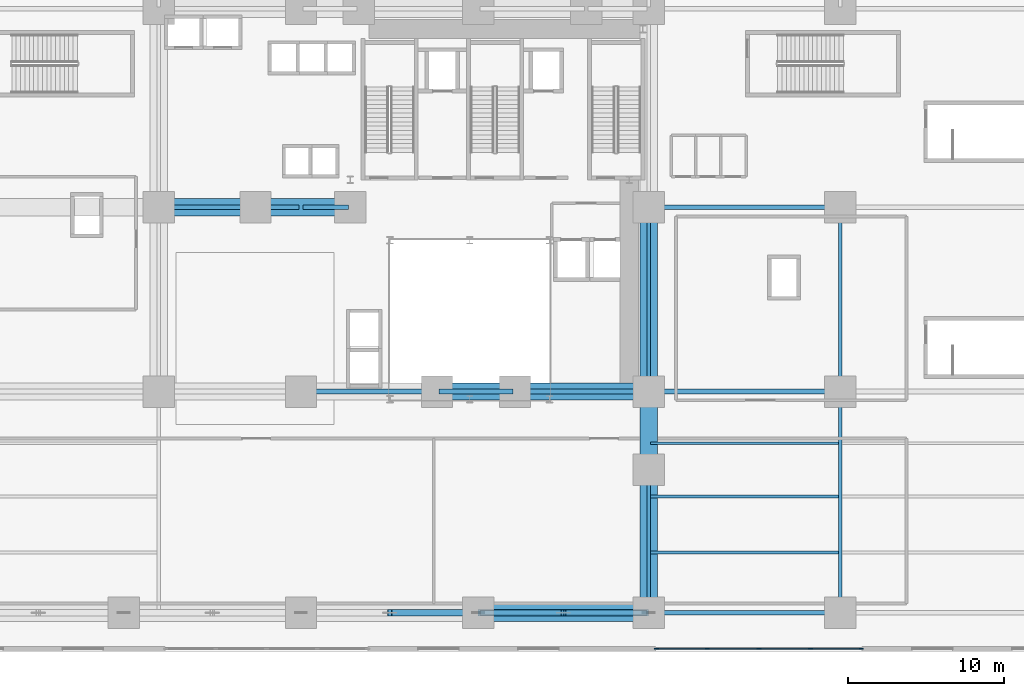
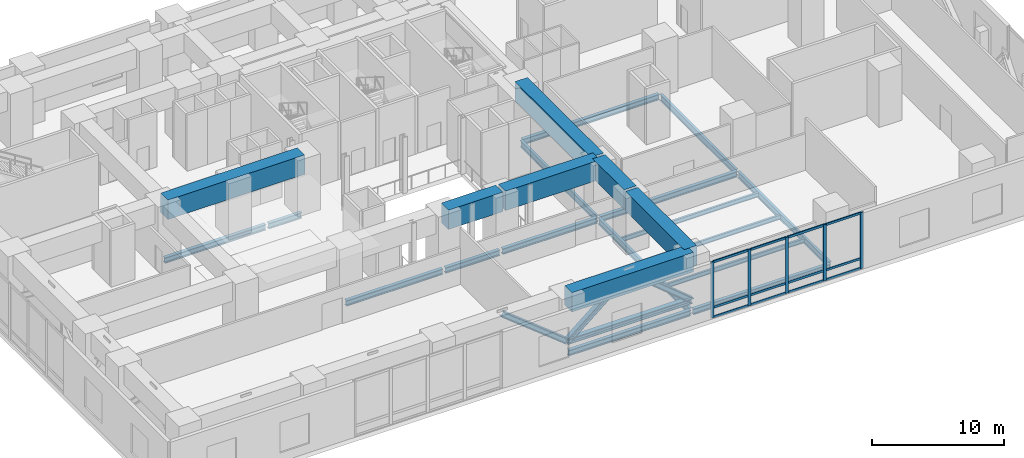
# One storey, part 4 of 17: 23 beams, 21 members, 1 element without a shape of its own.
"""IFC4 building model written with IfcOpenShell, lengths in metres."""

from ifc_helpers import new_model, si_unit, direction, frame, origin, origin_2d, place, context, subcontext, project, spatial, rectangle, i_section, extrude, source, transform, mapped, material, material_profile, profile_set, type_object, element, aggregate, save


model = new_model("IFC4")

# Units and contexts
model_context = context("Model", 3, precision=1e-05, world=origin(), true_north=direction((0.0, 1.0)))
body_context = subcontext(model_context, "Body", "Model", "MODEL_VIEW")
ifc_project = project(units=[si_unit("LENGTHUNIT", "METRE"), si_unit("AREAUNIT", "SQUARE_METRE"), si_unit("VOLUMEUNIT", "CUBIC_METRE"), si_unit("PLANEANGLEUNIT", "RADIAN"), si_unit("MASSUNIT", "GRAM", prefix="KILO")], contexts=[model_context])

# Site, building, storey
site_placement = place(None, origin())
site = spatial("IfcSite", under=ifc_project, at=site_placement, CompositionType="ELEMENT")
building_placement = place(site_placement, origin())
building = spatial("IfcBuilding", under=site, at=building_placement, Name="Vardaveli Station Tower", CompositionType="ELEMENT")
storey_placement = place(building_placement, frame((0.0, 0.0, 11.39990234375)))
storey = spatial("IfcBuildingStorey", under=building, at=storey_placement, Name="L03", CompositionType="ELEMENT", Elevation=11.39990234375)

# Beams
ifc_material_1 = material(Name="Concrete C60/75", Category="concrete")
ifc_material_profile_1 = material_profile(ifc_material_1, rectangle(XDim=1.10009765625, YDim=1.800048828125, at=origin_2d()), Name="TG 1100x1800")
ifc_profile_set_1 = profile_set([ifc_material_profile_1], Name="Concrete C60/75")
beam_type_1 = type_object("IfcBeamType", Name="BM-TG-1800", PredefinedType="BEAM", material=ifc_profile_set_1)
shared_shape_1 = source(origin(), body_context, "Body", "SweptSolid", [
    extrude(rectangle(XDim=1.10009765625, YDim=1.800048828125, at=origin_2d()), origin(), (0.0, 0.0, 1.0), 8.909912109375),
])
beam_1_placement = place(storey_placement, frame((47.75, 3.070068359375, 4.300048828125), z_axis=(0.0, 1.0, 0.0), x_axis=(-1.0, 0.0, 0.0)))
element("IfcBeam", 1, at=beam_1_placement, inside=storey, type_object=beam_type_1, Name="TG-L03-NS-E-1", PredefinedType="BEAM", context=body_context, shape_type="MappedRepresentation", body=[
    mapped(shared_shape_1, transform((0.0, 0.0, 0.0), scale=1.0)),
])
shared_shape_2 = source(origin(), body_context, "Body", "SweptSolid", [
    extrude(rectangle(XDim=1.10009765625, YDim=1.800048828125, at=origin_2d()), origin(), (0.0, 0.0, 1.0), 4.760009765625),
])
for number, where, z_axis, x_axis, name in (
    (2, (47.75, 12.219970703125, 4.300048828125), (0.0, 1.0, 0.0), (-1.0, 0.0, 0.0), "TG-L03-NS-E-2"),
    (3, (34.320068359375, 17.10009765625, 4.300048828125), (1.0, 0.0, 0.0), (0.0, 1.0, 0.0), "TG-L03-EW-P-4"),
):
    element("IfcBeam", number, at=place(storey_placement, frame(where, z_axis=z_axis, x_axis=x_axis)), inside=storey, type_object=beam_type_1, Name=name, PredefinedType="BEAM", context=body_context, shape_type="MappedRepresentation", body=[
        mapped(shared_shape_2, transform((0.0, 0.0, 0.0), scale=1.0)),
    ])
shared_shape_3 = source(origin(), body_context, "Body", "SweptSolid", [
    extrude(rectangle(XDim=1.10009765625, YDim=1.800048828125, at=origin_2d()), origin(), (0.0, 0.0, 1.0), 11.56005859375),
])
beam_2_placement = place(storey_placement, frame((47.75, 17.219970703125, 4.300048828125), z_axis=(0.0, 1.0, 0.0), x_axis=(-1.0, 0.0, 0.0)))
element("IfcBeam", 4, at=beam_2_placement, inside=storey, type_object=beam_type_1, Name="TG-L03-NS-E-3", PredefinedType="BEAM", context=body_context, shape_type="MappedRepresentation", body=[
    mapped(shared_shape_3, transform((0.0, 0.0, 0.0), scale=1.0)),
])
shared_shape_4 = source(origin(), body_context, "Body", "SweptSolid", [
    extrude(rectangle(XDim=1.10009765625, YDim=1.800048828125, at=origin_2d()), origin(), (0.0, 0.0, 1.0), 10.669921875),
])
beam_3_placement = place(storey_placement, frame((36.9599609375, 2.949951171875, 4.300048828125), z_axis=(1.0, 0.0, 0.0), x_axis=(0.0, 1.0, 0.0)))
element("IfcBeam", 5, at=beam_3_placement, inside=storey, type_object=beam_type_1, Name="TG-L03-EW-S-4", PredefinedType="BEAM", context=body_context, shape_type="MappedRepresentation", body=[
    mapped(shared_shape_4, transform((0.0, 0.0, 0.0), scale=1.0)),
])
shared_shape_5 = source(origin(), body_context, "Body", "SweptSolid", [
    extrude(rectangle(XDim=1.10009765625, YDim=1.800048828125, at=origin_2d()), origin(), (0.0, 0.0, 1.0), 8.309814453125),
])
beam_4_placement = place(storey_placement, frame((39.320068359375, 17.10009765625, 4.300048828125), z_axis=(1.0, 0.0, 0.0), x_axis=(0.0, 1.0, 0.0)))
element("IfcBeam", 6, at=beam_4_placement, inside=storey, type_object=beam_type_1, Name="TG-L03-EW-P-5", PredefinedType="BEAM", context=body_context, shape_type="MappedRepresentation", body=[
    mapped(shared_shape_5, transform((0.0, 0.0, 0.0), scale=1.0)),
])
shared_shape_6 = source(origin(), body_context, "Body", "SweptSolid", [
    extrude(rectangle(XDim=1.10009765625, YDim=1.800048828125, at=origin_2d()), origin(), (0.0, 0.0, 1.0), 12.010009765625),
])
beam_5_placement = place(storey_placement, frame((16.52001953125, 28.89990234375, 4.300048828125), z_axis=(1.0, 0.0, 0.0), x_axis=(0.0, 1.0, 0.0)))
element("IfcBeam", 7, at=beam_5_placement, inside=storey, type_object=beam_type_1, Name="TG-L03-EW-M-2", PredefinedType="BEAM", context=body_context, shape_type="MappedRepresentation", body=[
    mapped(shared_shape_6, transform((0.0, 0.0, 0.0), scale=1.0)),
])

# Members
ifc_material_2 = material(Name="Structural steel S460M", Category="steel")
ifc_material_profile_2 = material_profile(ifc_material_2, i_section(OverallWidth=0.427978515625, OverallDepth=0.48095703125, WebThickness=0.03955078125, FlangeThickness=0.0634765625, FilletRadius=0.014892578125, at=origin_2d()), Name="HD 400x677")
ifc_profile_set_2 = profile_set([ifc_material_profile_2], Name="Structural steel S460M")
member_type_1 = type_object("IfcMemberType", Name="MEM-CH-HD677", PredefinedType="CHORD", material=ifc_profile_set_2)
shared_shape_7 = source(origin(), body_context, "Body", "SweptSolid", [
    extrude(i_section(OverallWidth=0.427978515625, OverallDepth=0.48095703125, WebThickness=0.03955078125, FlangeThickness=0.0634765625, FilletRadius=0.014892578125, at=origin_2d()), origin(), (0.0, 0.0, 1.0), 10.909912109375),
])
member_1_placement = place(storey_placement, frame((36.840087890625, 2.949951171875, 0.4501953125), z_axis=(1.0, 0.0, 0.0), x_axis=(0.0, 1.0, 0.0)))
element("IfcMember", 8, at=member_1_placement, inside=storey, type_object=member_type_1, Name="TTR-CH-12", PredefinedType="CHORD", context=body_context, shape_type="MappedRepresentation", body=[
    mapped(shared_shape_7, transform((0.0, 0.0, 0.0), scale=1.0)),
])
ifc_material_profile_3 = material_profile(ifc_material_2, i_section(OverallWidth=0.424072265625, OverallDepth=0.465087890625, WebThickness=0.034912109375, FlangeThickness=0.055908203125, FilletRadius=0.014892578125, at=origin_2d()), Name="HD 400x592")
ifc_profile_set_3 = profile_set([ifc_material_profile_3], Name="Structural steel S460M")
member_type_2 = type_object("IfcMemberType", Name="MEM-BR-HD592", PredefinedType="BRACE", material=ifc_profile_set_3)
shared_shape_8 = source(origin(), body_context, "Body", "SweptSolid", [
    extrude(i_section(OverallWidth=0.424072265625, OverallDepth=0.465087890625, WebThickness=0.034912109375, FlangeThickness=0.055908203125, FilletRadius=0.014892578125, at=origin_2d()), origin(), (0.0, 0.0, 1.0), 7.071533203125),
])
for number, where, z_axis, x_axis, name in (
    (9, (36.840087890625, 2.949951171875, 0.4501953125), (0.771389802469, 0.0, 0.636362925261), (0.0, 1.0, 0.0), "TTR-D1-12"),
    (10, (47.75, 2.949951171875, 0.4501953125), (-0.771403783036, 0.0, 0.636345977843), (0.0, -1.0, 0.0), "TTR-D2-12"),
):
    element("IfcMember", number, at=place(storey_placement, frame(where, z_axis=z_axis, x_axis=x_axis)), inside=storey, type_object=member_type_2, Name=name, PredefinedType="BRACE", context=body_context, shape_type="MappedRepresentation", body=[
        mapped(shared_shape_8, transform((0.0, 0.0, 0.0), scale=1.0)),
    ])
shared_shape_9 = source(origin(), body_context, "Body", "SweptSolid", [
    extrude(i_section(OverallWidth=0.424072265625, OverallDepth=0.465087890625, WebThickness=0.034912109375, FlangeThickness=0.055908203125, FilletRadius=0.014892578125, at=origin_2d()), origin(), (0.0, 0.0, 1.0), 7.23876953125),
])
member_2_placement = place(storey_placement, frame((36.840087890625, 2.949951171875, 0.4501953125), z_axis=(-0.783297766016, 0.0, 0.621646692065), x_axis=(0.0, -1.0, 0.0)))
element("IfcMember", 11, at=member_2_placement, inside=storey, type_object=member_type_2, Name="TTR-D2-11", PredefinedType="BRACE", context=body_context, shape_type="MappedRepresentation", body=[
    mapped(shared_shape_9, transform((0.0, 0.0, 0.0), scale=1.0)),
])

# Beams
ifc_material_3 = material(Name="Structural steel S355J2", Category="steel")
ifc_material_profile_4 = material_profile(ifc_material_3, i_section(OverallWidth=0.305908203125, OverallDepth=0.52392578125, WebThickness=0.02099609375, FlangeThickness=0.0400390625, FilletRadius=0.027099609375, at=origin_2d()), Name="HEM 500")
ifc_profile_set_4 = profile_set([ifc_material_profile_4], Name="Structural steel S355J2")
beam_type_2 = type_object("IfcBeamType", Name="BM-HEM500", PredefinedType="BEAM", material=ifc_profile_set_4)
shared_shape_10 = source(origin(), body_context, "Body", "SweptSolid", [
    extrude(i_section(OverallWidth=0.305908203125, OverallDepth=0.52392578125, WebThickness=0.02099609375, FlangeThickness=0.0400390625, FilletRadius=0.027099609375, at=origin_2d()), origin(), (0.0, 0.0, 1.0), 10.669921875),
])
beam_6_placement = place(storey_placement, frame((36.9599609375, 2.949951171875, -0.661865234375), z_axis=(1.0, 0.0, 0.0), x_axis=(0.0, 1.0, 0.0)))
element("IfcBeam", 12, at=beam_6_placement, inside=storey, type_object=beam_type_2, Name="PBM-L03-EW0-3", PredefinedType="BEAM", context=body_context, shape_type="MappedRepresentation", body=[
    mapped(shared_shape_10, transform((0.0, 0.0, 0.0), scale=1.0)),
])
shared_shape_11 = source(origin(), body_context, "Body", "SweptSolid", [
    extrude(i_section(OverallWidth=0.305908203125, OverallDepth=0.52392578125, WebThickness=0.02099609375, FlangeThickness=0.0400390625, FilletRadius=0.027099609375, at=origin_2d()), origin(), (0.0, 0.0, 1.0), 12.009765625),
])
for number, where, z_axis, x_axis, name in (
    (13, (47.8701171875, 2.949951171875, -0.661865234375), (1.0, 0.0, 0.0), (0.0, 1.0, 0.0), "PBM-L03-EW0-4"),
    (14, (47.8701171875, 17.10009765625, -0.661865234375), (1.0, 0.0, 0.0), (0.0, 1.0, 0.0), "PBM-L03-EW1-5"),
    (15, (47.8701171875, 28.89990234375, -0.661865234375), (1.0, 0.0, 0.0), (0.0, 1.0, 0.0), "PBM-L03-EWE2-0"),
):
    element("IfcBeam", number, at=place(storey_placement, frame(where, z_axis=z_axis, x_axis=x_axis)), inside=storey, type_object=beam_type_2, Name=name, PredefinedType="BEAM", context=body_context, shape_type="MappedRepresentation", body=[
        mapped(shared_shape_11, transform((0.0, 0.0, 0.0), scale=1.0)),
    ])
shared_shape_12 = source(origin(), body_context, "Body", "SweptSolid", [
    extrude(i_section(OverallWidth=0.305908203125, OverallDepth=0.52392578125, WebThickness=0.02099609375, FlangeThickness=0.0400390625, FilletRadius=0.027099609375, at=origin_2d()), origin(), (0.0, 0.0, 1.0), 8.85986328125),
])
beam_7_placement = place(storey_placement, frame((16.52001953125, 28.89990234375, -0.661865234375), z_axis=(1.0, 0.0, 0.0), x_axis=(0.0, 1.0, 0.0)))
element("IfcBeam", 16, at=beam_7_placement, inside=storey, type_object=beam_type_2, Name="PBM-L03-EW2-1", PredefinedType="BEAM", context=body_context, shape_type="MappedRepresentation", body=[
    mapped(shared_shape_12, transform((0.0, 0.0, 0.0), scale=1.0)),
])
shared_shape_13 = source(origin(), body_context, "Body", "SweptSolid", [
    extrude(i_section(OverallWidth=0.305908203125, OverallDepth=0.52392578125, WebThickness=0.02099609375, FlangeThickness=0.0400390625, FilletRadius=0.027099609375, at=origin_2d()), origin(), (0.0, 0.0, 1.0), 8.4599609375),
])
beam_8_placement = place(storey_placement, frame((25.6201171875, 17.10009765625, -0.661865234375), z_axis=(1.0, 0.0, 0.0), x_axis=(0.0, 1.0, 0.0)))
element("IfcBeam", 17, at=beam_8_placement, inside=storey, type_object=beam_type_2, Name="PBM-L03-EW1-2", PredefinedType="BEAM", context=body_context, shape_type="MappedRepresentation", body=[
    mapped(shared_shape_13, transform((0.0, 0.0, 0.0), scale=1.0)),
])
shared_shape_14 = source(origin(), body_context, "Body", "SweptSolid", [
    extrude(i_section(OverallWidth=0.305908203125, OverallDepth=0.52392578125, WebThickness=0.02099609375, FlangeThickness=0.0400390625, FilletRadius=0.027099609375, at=origin_2d()), origin(), (0.0, 0.0, 1.0), 4.760009765625),
])
beam_9_placement = place(storey_placement, frame((34.320068359375, 17.10009765625, -0.661865234375), z_axis=(1.0, 0.0, 0.0), x_axis=(0.0, 1.0, 0.0)))
element("IfcBeam", 18, at=beam_9_placement, inside=storey, type_object=beam_type_2, Name="PBM-L03-EW1-3", PredefinedType="BEAM", context=body_context, shape_type="MappedRepresentation", body=[
    mapped(shared_shape_14, transform((0.0, 0.0, 0.0), scale=1.0)),
])
shared_shape_15 = source(origin(), body_context, "Body", "SweptSolid", [
    extrude(i_section(OverallWidth=0.305908203125, OverallDepth=0.52392578125, WebThickness=0.02099609375, FlangeThickness=0.0400390625, FilletRadius=0.027099609375, at=origin_2d()), origin(), (0.0, 0.0, 1.0), 8.309814453125),
])
beam_10_placement = place(storey_placement, frame((39.320068359375, 17.10009765625, -0.661865234375), z_axis=(1.0, 0.0, 0.0), x_axis=(0.0, 1.0, 0.0)))
element("IfcBeam", 19, at=beam_10_placement, inside=storey, type_object=beam_type_2, Name="PBM-L03-EW1-4", PredefinedType="BEAM", context=body_context, shape_type="MappedRepresentation", body=[
    mapped(shared_shape_15, transform((0.0, 0.0, 0.0), scale=1.0)),
])
shared_shape_16 = source(origin(), body_context, "Body", "SweptSolid", [
    extrude(i_section(OverallWidth=0.305908203125, OverallDepth=0.52392578125, WebThickness=0.02099609375, FlangeThickness=0.0400390625, FilletRadius=0.027099609375, at=origin_2d()), origin(), (0.0, 0.0, 1.0), 2.909912109375),
])
beam_11_placement = place(storey_placement, frame((25.6201171875, 28.89990234375, -0.661865234375), z_axis=(1.0, 0.0, 0.0), x_axis=(0.0, 1.0, 0.0)))
element("IfcBeam", 20, at=beam_11_placement, inside=storey, type_object=beam_type_2, Name="PBM-L03-EW2-2", PredefinedType="BEAM", context=body_context, shape_type="MappedRepresentation", body=[
    mapped(shared_shape_16, transform((0.0, 0.0, 0.0), scale=1.0)),
])
ifc_material_profile_5 = material_profile(ifc_material_3, i_section(OverallWidth=0.219970703125, OverallDepth=0.60009765625, WebThickness=0.011962890625, FlangeThickness=0.01904296875, FilletRadius=0.02392578125, at=origin_2d()), Name="IPE 600")
ifc_profile_set_5 = profile_set([ifc_material_profile_5], Name="Structural steel S355J2")
beam_type_3 = type_object("IfcBeamType", Name="BM-IPE600", PredefinedType="BEAM", material=ifc_profile_set_5)
shared_shape_17 = source(origin(), body_context, "Body", "SweptSolid", [
    extrude(i_section(OverallWidth=0.219970703125, OverallDepth=0.60009765625, WebThickness=0.011962890625, FlangeThickness=0.01904296875, FilletRadius=0.02392578125, at=origin_2d()), origin(), (0.0, 0.0, 1.0), 13.909912109375),
])
for number, where, z_axis, x_axis, name in (
    (21, (47.75, 3.070068359375, -0.699951171875), (0.0, 1.0, 0.0), (-1.0, 0.0, 0.0), "PBM-L03-NS2-0"),
    (22, (60.0, 3.070068359375, -0.699951171875), (0.0, 1.0, 0.0), (-1.0, 0.0, 0.0), "PBM-L03-NS3-0"),
):
    element("IfcBeam", number, at=place(storey_placement, frame(where, z_axis=z_axis, x_axis=x_axis)), inside=storey, type_object=beam_type_3, Name=name, PredefinedType="BEAM", context=body_context, shape_type="MappedRepresentation", body=[
        mapped(shared_shape_17, transform((0.0, 0.0, 0.0), scale=1.0)),
    ])
shared_shape_18 = source(origin(), body_context, "Body", "SweptSolid", [
    extrude(i_section(OverallWidth=0.219970703125, OverallDepth=0.60009765625, WebThickness=0.011962890625, FlangeThickness=0.01904296875, FilletRadius=0.02392578125, at=origin_2d()), origin(), (0.0, 0.0, 1.0), 11.56005859375),
])
for number, where, z_axis, x_axis, name in (
    (23, (47.75, 17.219970703125, -0.699951171875), (0.0, 1.0, 0.0), (-1.0, 0.0, 0.0), "PBM-L03-NS2-1"),
    (24, (60.0, 17.219970703125, -0.699951171875), (0.0, 1.0, 0.0), (-1.0, 0.0, 0.0), "PBM-L03-NS3-1"),
):
    element("IfcBeam", number, at=place(storey_placement, frame(where, z_axis=z_axis, x_axis=x_axis)), inside=storey, type_object=beam_type_3, Name=name, PredefinedType="BEAM", context=body_context, shape_type="MappedRepresentation", body=[
        mapped(shared_shape_18, transform((0.0, 0.0, 0.0), scale=1.0)),
    ])
ifc_material_profile_6 = material_profile(ifc_material_3, i_section(OverallWidth=0.179931640625, OverallDepth=0.39990234375, WebThickness=0.008544921875, FlangeThickness=0.013427734375, FilletRadius=0.02099609375, at=origin_2d()), Name="IPE 400")
ifc_profile_set_6 = profile_set([ifc_material_profile_6], Name="Structural steel S355J2")
beam_type_4 = type_object("IfcBeamType", Name="BM-IPE400", PredefinedType="JOIST", material=ifc_profile_set_6)
shared_shape_19 = source(origin(), body_context, "Body", "SweptSolid", [
    extrude(i_section(OverallWidth=0.179931640625, OverallDepth=0.39990234375, WebThickness=0.008544921875, FlangeThickness=0.013427734375, FilletRadius=0.02099609375, at=origin_2d()), origin(), (0.0, 0.0, 1.0), 12.02587890625),
])
for number, where, z_axis, x_axis, name in (
    (25, (47.862060546875, 6.800048828125, -0.599853515625), (1.0, 0.0, 0.0), (0.0, 1.0, 0.0), "PJ-L03-1-2"),
    (26, (47.862060546875, 10.39990234375, -0.599853515625), (1.0, 0.0, 0.0), (0.0, 1.0, 0.0), "PJ-L03-2-2"),
    (27, (47.862060546875, 13.800048828125, -0.599853515625), (1.0, 0.0, 0.0), (0.0, 1.0, 0.0), "PJ-L03-3-2"),
):
    element("IfcBeam", number, at=place(storey_placement, frame(where, z_axis=z_axis, x_axis=x_axis)), inside=storey, type_object=beam_type_4, Name=name, PredefinedType="JOIST", context=body_context, shape_type="MappedRepresentation", body=[
        mapped(shared_shape_19, transform((0.0, 0.0, 0.0), scale=1.0)),
    ])

# Curtain wall, members
ifc_material_4 = material(Name="Travertine stone and solar-control glass", Category="masonry")
curtain_wall_type = type_object("IfcCurtainWallType", Name="CW-SYS-1", PredefinedType="NOTDEFINED", material=ifc_material_4)
curtain_wall_placement = place(storey_placement, origin())
curtain_wall = element("IfcCurtainWall", 28, at=curtain_wall_placement, inside=storey, type_object=curtain_wall_type, Name="CW-L03-S4", PredefinedType="NOTDEFINED")
ifc_material_5 = material(Name="Anodised aluminium alloy 6063-T6", Category="aluminium")
ifc_material_profile_7 = material_profile(ifc_material_5, rectangle(XDim=0.094970703125, YDim=0.2099609375, at=origin_2d()), Name="CWT 95x210")
ifc_profile_set_7 = profile_set([ifc_material_profile_7], Name="Anodised aluminium alloy 6063-T6")
member_type_3 = type_object("IfcMemberType", Name="CW-SYS-1-TRAN", PredefinedType="NOTDEFINED", material=ifc_profile_set_7)
shared_shape_20 = source(origin(), body_context, "Body", "SweptSolid", [
    extrude(rectangle(XDim=0.094970703125, YDim=0.2099609375, at=origin_2d()), origin(), (0.0, 0.0, 1.0), 3.157470703125),
])
member_3_placement = place(storey_placement, frame((48.294921875, 0.64990234375, 0.047607421875), z_axis=(1.0, 0.0, 0.0), x_axis=(0.0, 1.0, 0.0)))
member_3 = element("IfcMember", 29, at=member_3_placement, type_object=member_type_3, Name="CW-1 transom 1.1", ObjectType="TRANSOM", PredefinedType="USERDEFINED", context=body_context, shape_type="MappedRepresentation", body=[
    mapped(shared_shape_20, transform((0.0, 0.0, 0.0), scale=1.0)),
])
member_4_placement = place(storey_placement, frame((48.294921875, 0.64990234375, 0.9501953125), z_axis=(1.0, 0.0, 0.0), x_axis=(0.0, 1.0, 0.0)))
member_4 = element("IfcMember", 30, at=member_4_placement, type_object=member_type_3, Name="CW-1 transom 1.2", ObjectType="TRANSOM", PredefinedType="USERDEFINED", context=body_context, shape_type="MappedRepresentation", body=[
    mapped(shared_shape_20, transform((0.0, 0.0, 0.0), scale=1.0)),
])
member_5_placement = place(storey_placement, frame((48.294921875, 0.64990234375, 5.152587890625), z_axis=(1.0, 0.0, 0.0), x_axis=(0.0, 1.0, 0.0)))
member_5 = element("IfcMember", 31, at=member_5_placement, type_object=member_type_3, Name="CW-1 transom 1.3", ObjectType="TRANSOM", PredefinedType="USERDEFINED", context=body_context, shape_type="MappedRepresentation", body=[
    mapped(shared_shape_20, transform((0.0, 0.0, 0.0), scale=1.0)),
])
member_6_placement = place(storey_placement, frame((58.1474609375, 0.64990234375, 0.047607421875), z_axis=(1.0, 0.0, 0.0), x_axis=(0.0, 1.0, 0.0)))
member_6 = element("IfcMember", 32, at=member_6_placement, type_object=member_type_3, Name="CW-1 transom 4.1", ObjectType="TRANSOM", PredefinedType="USERDEFINED", context=body_context, shape_type="MappedRepresentation", body=[
    mapped(shared_shape_20, transform((0.0, 0.0, 0.0), scale=1.0)),
])
member_7_placement = place(storey_placement, frame((58.1474609375, 0.64990234375, 0.9501953125), z_axis=(1.0, 0.0, 0.0), x_axis=(0.0, 1.0, 0.0)))
member_7 = element("IfcMember", 33, at=member_7_placement, type_object=member_type_3, Name="CW-1 transom 4.2", ObjectType="TRANSOM", PredefinedType="USERDEFINED", context=body_context, shape_type="MappedRepresentation", body=[
    mapped(shared_shape_20, transform((0.0, 0.0, 0.0), scale=1.0)),
])
member_8_placement = place(storey_placement, frame((58.1474609375, 0.64990234375, 5.152587890625), z_axis=(1.0, 0.0, 0.0), x_axis=(0.0, 1.0, 0.0)))
member_8 = element("IfcMember", 34, at=member_8_placement, type_object=member_type_3, Name="CW-1 transom 4.3", ObjectType="TRANSOM", PredefinedType="USERDEFINED", context=body_context, shape_type="MappedRepresentation", body=[
    mapped(shared_shape_20, transform((0.0, 0.0, 0.0), scale=1.0)),
])
shared_shape_21 = source(origin(), body_context, "Body", "SweptSolid", [
    extrude(rectangle(XDim=0.094970703125, YDim=0.2099609375, at=origin_2d()), origin(), (0.0, 0.0, 1.0), 3.204833984375),
])
member_9_placement = place(storey_placement, frame((51.547607421875, 0.64990234375, 0.047607421875), z_axis=(1.0, 0.0, 0.0), x_axis=(0.0, 1.0, 0.0)))
member_9 = element("IfcMember", 35, at=member_9_placement, type_object=member_type_3, Name="CW-1 transom 2.1", ObjectType="TRANSOM", PredefinedType="USERDEFINED", context=body_context, shape_type="MappedRepresentation", body=[
    mapped(shared_shape_21, transform((0.0, 0.0, 0.0), scale=1.0)),
])
member_10_placement = place(storey_placement, frame((51.547607421875, 0.64990234375, 0.9501953125), z_axis=(1.0, 0.0, 0.0), x_axis=(0.0, 1.0, 0.0)))
member_10 = element("IfcMember", 36, at=member_10_placement, type_object=member_type_3, Name="CW-1 transom 2.2", ObjectType="TRANSOM", PredefinedType="USERDEFINED", context=body_context, shape_type="MappedRepresentation", body=[
    mapped(shared_shape_21, transform((0.0, 0.0, 0.0), scale=1.0)),
])
member_11_placement = place(storey_placement, frame((51.547607421875, 0.64990234375, 5.152587890625), z_axis=(1.0, 0.0, 0.0), x_axis=(0.0, 1.0, 0.0)))
member_11 = element("IfcMember", 37, at=member_11_placement, type_object=member_type_3, Name="CW-1 transom 2.3", ObjectType="TRANSOM", PredefinedType="USERDEFINED", context=body_context, shape_type="MappedRepresentation", body=[
    mapped(shared_shape_21, transform((0.0, 0.0, 0.0), scale=1.0)),
])
shared_shape_22 = source(origin(), body_context, "Body", "SweptSolid", [
    extrude(rectangle(XDim=0.094970703125, YDim=0.2099609375, at=origin_2d()), origin(), (0.0, 0.0, 1.0), 3.205078125),
])
member_12_placement = place(storey_placement, frame((54.847412109375, 0.64990234375, 0.047607421875), z_axis=(1.0, 0.0, 0.0), x_axis=(0.0, 1.0, 0.0)))
member_12 = element("IfcMember", 38, at=member_12_placement, type_object=member_type_3, Name="CW-1 transom 3.1", ObjectType="TRANSOM", PredefinedType="USERDEFINED", context=body_context, shape_type="MappedRepresentation", body=[
    mapped(shared_shape_22, transform((0.0, 0.0, 0.0), scale=1.0)),
])
member_13_placement = place(storey_placement, frame((54.847412109375, 0.64990234375, 0.9501953125), z_axis=(1.0, 0.0, 0.0), x_axis=(0.0, 1.0, 0.0)))
member_13 = element("IfcMember", 39, at=member_13_placement, type_object=member_type_3, Name="CW-1 transom 3.2", ObjectType="TRANSOM", PredefinedType="USERDEFINED", context=body_context, shape_type="MappedRepresentation", body=[
    mapped(shared_shape_22, transform((0.0, 0.0, 0.0), scale=1.0)),
])
member_14_placement = place(storey_placement, frame((54.847412109375, 0.64990234375, 5.152587890625), z_axis=(1.0, 0.0, 0.0), x_axis=(0.0, 1.0, 0.0)))
member_14 = element("IfcMember", 40, at=member_14_placement, type_object=member_type_3, Name="CW-1 transom 3.3", ObjectType="TRANSOM", PredefinedType="USERDEFINED", context=body_context, shape_type="MappedRepresentation", body=[
    mapped(shared_shape_22, transform((0.0, 0.0, 0.0), scale=1.0)),
])
ifc_material_profile_8 = material_profile(ifc_material_5, rectangle(XDim=0.094970703125, YDim=0.27001953125, at=origin_2d()), Name="CWM 95x270")
ifc_profile_set_8 = profile_set([ifc_material_profile_8], Name="Anodised aluminium alloy 6063-T6")
member_type_4 = type_object("IfcMemberType", Name="CW-SYS-1-MULL", PredefinedType="MULLION", material=ifc_profile_set_8)
shared_shape_23 = source(origin(), body_context, "Body", "SweptSolid", [
    extrude(rectangle(XDim=0.094970703125, YDim=0.27001953125, at=origin_2d()), origin(), (0.0, 0.0, 1.0), 5.2001953125),
])
member_15_placement = place(storey_placement, frame((48.24755859375, 0.64990234375, 0.0), z_axis=(0.0, 0.0, 1.0), x_axis=(0.0, 1.0, 0.0)))
member_15 = element("IfcMember", 41, at=member_15_placement, type_object=member_type_4, Name="CW-1 mullion 1", PredefinedType="MULLION", context=body_context, shape_type="MappedRepresentation", body=[
    mapped(shared_shape_23, transform((0.0, 0.0, 0.0), scale=1.0)),
])
member_16_placement = place(storey_placement, frame((51.5, 0.64990234375, 0.0), z_axis=(0.0, 0.0, 1.0), x_axis=(0.0, 1.0, 0.0)))
member_16 = element("IfcMember", 42, at=member_16_placement, type_object=member_type_4, Name="CW-1 mullion 2", PredefinedType="MULLION", context=body_context, shape_type="MappedRepresentation", body=[
    mapped(shared_shape_23, transform((0.0, 0.0, 0.0), scale=1.0)),
])
member_17_placement = place(storey_placement, frame((54.800048828125, 0.64990234375, 0.0), z_axis=(0.0, 0.0, 1.0), x_axis=(0.0, 1.0, 0.0)))
member_17 = element("IfcMember", 43, at=member_17_placement, type_object=member_type_4, Name="CW-1 mullion 3", PredefinedType="MULLION", context=body_context, shape_type="MappedRepresentation", body=[
    mapped(shared_shape_23, transform((0.0, 0.0, 0.0), scale=1.0)),
])
member_18_placement = place(storey_placement, frame((58.10009765625, 0.64990234375, 0.0), z_axis=(0.0, 0.0, 1.0), x_axis=(0.0, 1.0, 0.0)))
member_18 = element("IfcMember", 44, at=member_18_placement, type_object=member_type_4, Name="CW-1 mullion 4", PredefinedType="MULLION", context=body_context, shape_type="MappedRepresentation", body=[
    mapped(shared_shape_23, transform((0.0, 0.0, 0.0), scale=1.0)),
])
member_19_placement = place(storey_placement, frame((61.3525390625, 0.64990234375, 0.0), z_axis=(0.0, 0.0, 1.0), x_axis=(0.0, 1.0, 0.0)))
member_19 = element("IfcMember", 45, at=member_19_placement, type_object=member_type_4, Name="CW-1 mullion 5", PredefinedType="MULLION", context=body_context, shape_type="MappedRepresentation", body=[
    mapped(shared_shape_23, transform((0.0, 0.0, 0.0), scale=1.0)),
])
aggregate(curtain_wall, [member_15, member_16, member_17, member_18, member_19, member_3, member_4, member_5, member_9, member_10, member_11, member_12, member_13, member_14, member_6, member_7, member_8])

save(model, "model.ifc")
